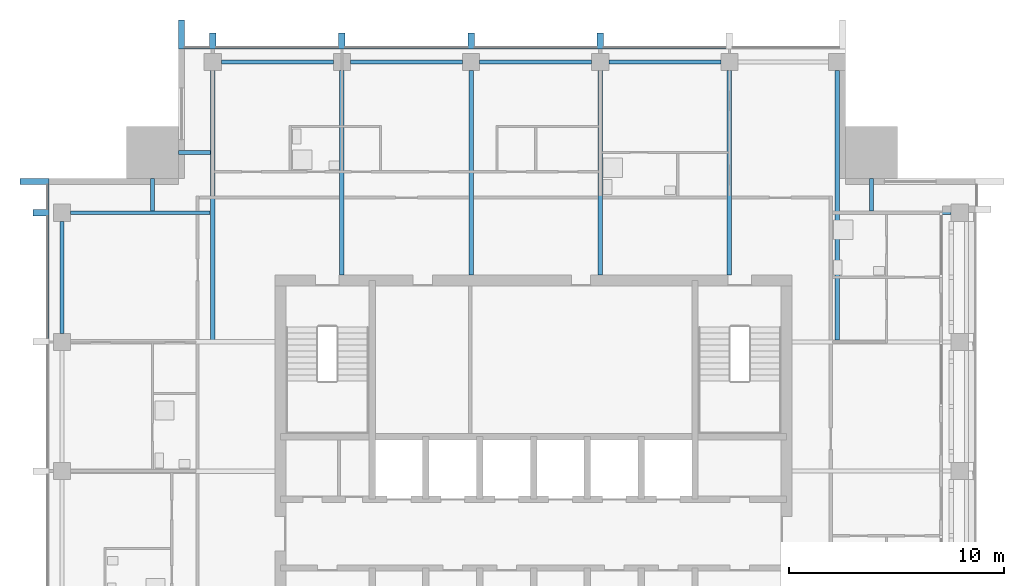
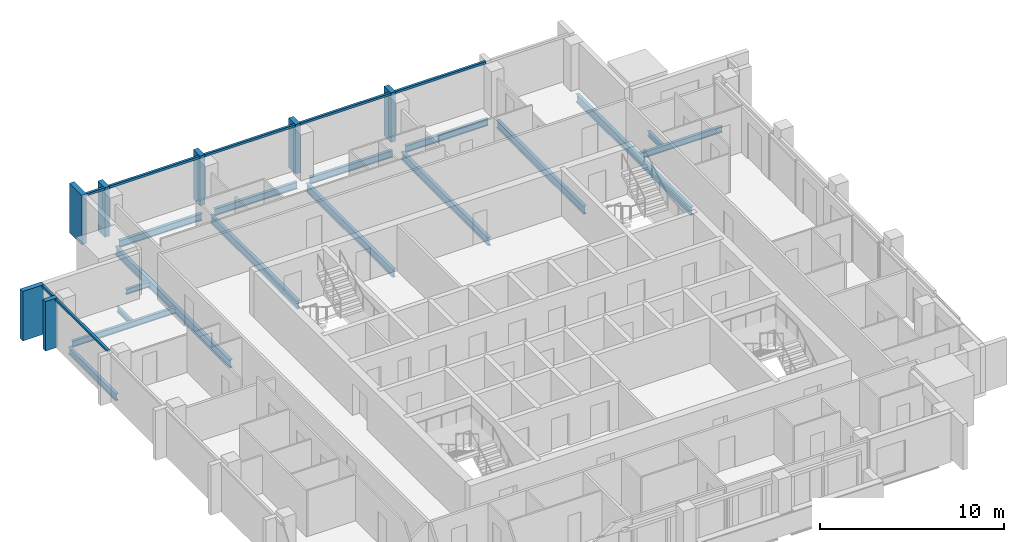
# One storey, part 4 of 15: 16 beams, 14 members, 2 elements without a shape of their own.
"""IFC4 building model written with IfcOpenShell, lengths in metres."""

from ifc_helpers import new_model, si_unit, direction, frame, origin, origin_2d, place, context, subcontext, project, spatial, rectangle, i_section, extrude, material, material_profile, profile_set, type_object, element, aggregate, save


model = new_model("IFC4")

# Units and contexts
model_context = context("Model", 3, precision=1e-05, world=origin(), true_north=direction((0.0, 1.0)))
body_context = subcontext(model_context, "Body", "Model", "MODEL_VIEW")
ifc_project = project(units=[si_unit("LENGTHUNIT", "METRE"), si_unit("AREAUNIT", "SQUARE_METRE"), si_unit("VOLUMEUNIT", "CUBIC_METRE"), si_unit("PLANEANGLEUNIT", "RADIAN"), si_unit("MASSUNIT", "GRAM", prefix="KILO")], contexts=[model_context])

# Site, building, storey
site_placement = place(None, origin())
site = spatial("IfcSite", under=ifc_project, at=site_placement, CompositionType="ELEMENT")
building_placement = place(site_placement, origin())
building = spatial("IfcBuilding", under=site, at=building_placement, Name="Amberfall Residences", CompositionType="ELEMENT")
storey_placement = place(building_placement, frame((0.0, 0.0, 268.60009765625)))
storey = spatial("IfcBuildingStorey", under=building, at=storey_placement, Name="L72", CompositionType="ELEMENT", Elevation=268.60009765625)

# Curtain wall, members
ifc_material_1 = material(Name="Bronze anodised aluminium and glass", Category="aluminium")
curtain_wall_type = type_object("IfcCurtainWallType", Name="Curtain wall CW1 tower unit", PredefinedType="USERDEFINED", material=ifc_material_1)
curtain_wall_1_placement = place(storey_placement, origin())
curtain_wall_1 = element("IfcCurtainWall", 1, at=curtain_wall_1_placement, inside=storey, type_object=curtain_wall_type, Name="Curtain wall L72 N N1", ObjectType="UNITISED CURTAIN WALL", PredefinedType="USERDEFINED")
ifc_material_2 = material(Name="Bronze anodised aluminium", Category="aluminium")
ifc_material_profile_1 = material_profile(ifc_material_2, rectangle(XDim=0.14990234375, YDim=0.14990234375, at=origin_2d()), Name="CW1 transom 150 x 150 bronze")
ifc_profile_set_1 = profile_set([ifc_material_profile_1], Name="Bronze anodised aluminium")
member_type_1 = type_object("IfcMemberType", Name="CW1 transom 150 x 150 bronze", PredefinedType="USERDEFINED", material=ifc_profile_set_1)
member_1_placement = place(storey_placement, frame((83.449951171875, 68.074951171875, 2.974853515625), z_axis=(-1.0, 0.0, 0.0), x_axis=(0.0, -1.0, 0.0)))
member_1 = element("IfcMember", 2, at=member_1_placement, type_object=member_type_1, Name="CW1 transom 2.1", ObjectType="TRANSOM", PredefinedType="USERDEFINED", context=body_context, shape_type="SweptSolid", body=[
    extrude(rectangle(XDim=0.14990234375, YDim=0.14990234375, at=origin_2d()), origin(), (0.0, 0.0, 1.0), 5.699951171875),
])
member_2_placement = place(storey_placement, frame((77.449951171875, 68.074951171875, 2.974853515625), z_axis=(-1.0, 0.0, 0.0), x_axis=(0.0, -1.0, 0.0)))
member_2 = element("IfcMember", 3, at=member_2_placement, type_object=member_type_1, Name="CW1 transom 3.1", ObjectType="TRANSOM", PredefinedType="USERDEFINED", context=body_context, shape_type="SweptSolid", body=[
    extrude(rectangle(XDim=0.14990234375, YDim=0.14990234375, at=origin_2d()), origin(), (0.0, 0.0, 1.0), 5.699951171875),
])
member_3_placement = place(storey_placement, frame((71.449951171875, 68.074951171875, 2.974853515625), z_axis=(-1.0, 0.0, 0.0), x_axis=(0.0, -1.0, 0.0)))
member_3 = element("IfcMember", 4, at=member_3_placement, type_object=member_type_1, Name="CW1 transom 4.1", ObjectType="TRANSOM", PredefinedType="USERDEFINED", context=body_context, shape_type="SweptSolid", body=[
    extrude(rectangle(XDim=0.14990234375, YDim=0.14990234375, at=origin_2d()), origin(), (0.0, 0.0, 1.0), 5.699951171875),
])
member_4_placement = place(storey_placement, frame((65.449951171875, 68.074951171875, 2.974853515625), z_axis=(-1.0, 0.0, 0.0), x_axis=(0.0, -1.0, 0.0)))
member_4 = element("IfcMember", 5, at=member_4_placement, type_object=member_type_1, Name="CW1 transom 5.1", ObjectType="TRANSOM", PredefinedType="USERDEFINED", context=body_context, shape_type="SweptSolid", body=[
    extrude(rectangle(XDim=0.14990234375, YDim=0.14990234375, at=origin_2d()), origin(), (0.0, 0.0, 1.0), 5.699951171875),
])
member_5_placement = place(storey_placement, frame((59.449951171875, 68.074951171875, 2.974853515625), z_axis=(-1.0, 0.0, 0.0), x_axis=(0.0, -1.0, 0.0)))
member_5 = element("IfcMember", 6, at=member_5_placement, type_object=member_type_1, Name="CW1 transom 6.1", ObjectType="TRANSOM", PredefinedType="USERDEFINED", context=body_context, shape_type="SweptSolid", body=[
    extrude(rectangle(XDim=0.14990234375, YDim=0.14990234375, at=origin_2d()), origin(), (0.0, 0.0, 1.0), 1.14990234375),
])

curtain_wall_2_placement = place(storey_placement, origin())
curtain_wall_2 = element("IfcCurtainWall", 7, at=curtain_wall_2_placement, inside=storey, type_object=curtain_wall_type, Name="Curtain wall L72 W W1", ObjectType="UNITISED CURTAIN WALL", PredefinedType="USERDEFINED")
member_6_placement = place(storey_placement, frame((51.925048828125, 61.699951171875, 2.974853515625), z_axis=(0.0, -1.0, 0.0), x_axis=(1.0, 0.0, 0.0)))
member_6 = element("IfcMember", 8, at=member_6_placement, type_object=member_type_1, Name="CW1 transom 1.1", ObjectType="TRANSOM", PredefinedType="USERDEFINED", context=body_context, shape_type="SweptSolid", body=[
    extrude(rectangle(XDim=0.14990234375, YDim=0.14990234375, at=origin_2d()), origin(), (0.0, 0.0, 1.0), 1.14990234375),
])
member_7_placement = place(storey_placement, frame((51.925048828125, 60.25, 2.974853515625), z_axis=(0.0, -1.0, 0.0), x_axis=(1.0, 0.0, 0.0)))
member_7 = element("IfcMember", 9, at=member_7_placement, type_object=member_type_1, Name="CW1 transom 2.1", ObjectType="TRANSOM", PredefinedType="USERDEFINED", context=body_context, shape_type="SweptSolid", body=[
    extrude(rectangle(XDim=0.14990234375, YDim=0.14990234375, at=origin_2d()), origin(), (0.0, 0.0, 1.0), 5.699951171875),
])

# Member
ifc_material_profile_2 = material_profile(ifc_material_2, rectangle(XDim=1.35009765625, YDim=0.300048828125, at=origin_2d()), Name="Corner fin 300 x 1350 bronze")
ifc_profile_set_2 = profile_set([ifc_material_profile_2], Name="Bronze anodised aluminium")
member_type_2 = type_object("IfcMemberType", Name="Corner fin 300 x 1350 bronze", PredefinedType="MULLION", material=ifc_profile_set_2)
member_8_placement = place(storey_placement, frame((58.14990234375, 68.675048828125, -0.25), z_axis=(0.0, 0.0, 1.0), x_axis=(0.0, -1.0, 0.0)))
member_8 = element("IfcMember", 10, at=member_8_placement, type_object=member_type_2, Name="CW FIN 7", PredefinedType="MULLION", context=body_context, shape_type="SweptSolid", body=[
    extrude(rectangle(XDim=1.35009765625, YDim=0.300048828125, at=origin_2d()), origin(), (0.0, 0.0, 1.0), 3.2998046875),
])

member_9_placement = place(storey_placement, frame((51.324951171875, 61.85009765625, -0.25), z_axis=(0.0, 0.0, 1.0), x_axis=(1.0, 0.0, 0.0)))
member_9 = element("IfcMember", 11, at=member_9_placement, type_object=member_type_2, Name="CW FIN 1", PredefinedType="MULLION", context=body_context, shape_type="SweptSolid", body=[
    extrude(rectangle(XDim=1.35009765625, YDim=0.300048828125, at=origin_2d()), origin(), (0.0, 0.0, 1.0), 3.2998046875),
])

# Beams
ifc_material_3 = material(Name="Steel S355", Category="steel")
ifc_material_profile_3 = material_profile(ifc_material_3, i_section(OverallWidth=0.18994140625, OverallDepth=0.453369140625, WebThickness=0.008544921875, FlangeThickness=0.0126953125, FilletRadius=0.01025390625, at=origin_2d()), Name="UB 457x191x67")
ifc_profile_set_3 = profile_set([ifc_material_profile_3], Name="Steel S355")
beam_type_1 = type_object("IfcBeamType", Name="Edge beam UB 457x191x67", PredefinedType="SPANDREL", material=ifc_profile_set_3)
for number, where, z_axis, x_axis, name in (
    (12, (60.0, 67.39990234375, -0.476806640625), (1.0, 0.0, 0.0), (0.0, 1.0, 0.0), "Edge beam B1 L72 25"),
    (13, (66.0, 67.39990234375, -0.476806640625), (1.0, 0.0, 0.0), (0.0, 1.0, 0.0), "Edge beam B1 L72 26"),
    (14, (72.0, 67.39990234375, -0.476806640625), (1.0, 0.0, 0.0), (0.0, 1.0, 0.0), "Edge beam B1 L72 27"),
    (15, (78.0, 67.39990234375, -0.476806640625), (1.0, 0.0, 0.0), (0.0, 1.0, 0.0), "Edge beam B1 L72 28"),
    (16, (52.60009765625, 54.800048828125, -0.476806640625), (0.0, 1.0, 0.0), (-1.0, 0.0, 0.0), "Edge beam B1 L72 40"),
):
    element("IfcBeam", number, at=place(storey_placement, frame(where, z_axis=z_axis, x_axis=x_axis)), inside=storey, type_object=beam_type_1, Name=name, PredefinedType="SPANDREL", context=body_context, shape_type="SweptSolid", body=[
        extrude(i_section(OverallWidth=0.18994140625, OverallDepth=0.453369140625, WebThickness=0.008544921875, FlangeThickness=0.0126953125, FilletRadius=0.01025390625, at=origin_2d()), origin(), (0.0, 0.0, 1.0), 5.199951171875),
    ])

# Member
ifc_material_profile_4 = material_profile(ifc_material_2, rectangle(XDim=0.75, YDim=0.300048828125, at=origin_2d()), Name="Fin 300 x 750 bronze")
ifc_profile_set_4 = profile_set([ifc_material_profile_4], Name="Bronze anodised aluminium")
member_type_3 = type_object("IfcMemberType", Name="Fin 300 x 750 bronze", PredefinedType="MULLION", material=ifc_profile_set_4)
member_10_placement = place(storey_placement, frame((77.60009765625, 68.375, -0.25), z_axis=(0.0, 0.0, 1.0), x_axis=(0.0, -1.0, 0.0)))
member_10 = element("IfcMember", 17, at=member_10_placement, type_object=member_type_3, Name="CW FIN 3", PredefinedType="MULLION", context=body_context, shape_type="SweptSolid", body=[
    extrude(rectangle(XDim=0.75, YDim=0.300048828125, at=origin_2d()), origin(), (0.0, 0.0, 1.0), 3.2998046875),
])

member_11_placement = place(storey_placement, frame((71.60009765625, 68.375, -0.25), z_axis=(0.0, 0.0, 1.0), x_axis=(0.0, -1.0, 0.0)))
member_11 = element("IfcMember", 18, at=member_11_placement, type_object=member_type_3, Name="CW FIN 4", PredefinedType="MULLION", context=body_context, shape_type="SweptSolid", body=[
    extrude(rectangle(XDim=0.75, YDim=0.300048828125, at=origin_2d()), origin(), (0.0, 0.0, 1.0), 3.2998046875),
])

member_12_placement = place(storey_placement, frame((65.60009765625, 68.375, -0.25), z_axis=(0.0, 0.0, 1.0), x_axis=(0.0, -1.0, 0.0)))
member_12 = element("IfcMember", 19, at=member_12_placement, type_object=member_type_3, Name="CW FIN 5", PredefinedType="MULLION", context=body_context, shape_type="SweptSolid", body=[
    extrude(rectangle(XDim=0.75, YDim=0.300048828125, at=origin_2d()), origin(), (0.0, 0.0, 1.0), 3.2998046875),
])

member_13_placement = place(storey_placement, frame((59.60009765625, 68.375, -0.25), z_axis=(0.0, 0.0, 1.0), x_axis=(0.0, -1.0, 0.0)))
member_13 = element("IfcMember", 20, at=member_13_placement, type_object=member_type_3, Name="CW FIN 6", PredefinedType="MULLION", context=body_context, shape_type="SweptSolid", body=[
    extrude(rectangle(XDim=0.75, YDim=0.300048828125, at=origin_2d()), origin(), (0.0, 0.0, 1.0), 3.2998046875),
])

aggregate(curtain_wall_1, [member_10, member_11, member_12, member_13, member_8, member_1, member_2, member_3, member_4, member_5])

member_14_placement = place(storey_placement, frame((51.625, 60.39990234375, -0.25), z_axis=(0.0, 0.0, 1.0), x_axis=(1.0, 0.0, 0.0)))
member_14 = element("IfcMember", 21, at=member_14_placement, type_object=member_type_3, Name="CW FIN 2", PredefinedType="MULLION", context=body_context, shape_type="SweptSolid", body=[
    extrude(rectangle(XDim=0.75, YDim=0.300048828125, at=origin_2d()), origin(), (0.0, 0.0, 1.0), 3.2998046875),
])

aggregate(curtain_wall_2, [member_9, member_14, member_6, member_7])

# Beams
ifc_material_profile_5 = material_profile(ifc_material_3, i_section(OverallWidth=0.177734375, OverallDepth=0.402587890625, WebThickness=0.0078125, FlangeThickness=0.010986328125, FilletRadius=0.01025390625, at=origin_2d()), Name="UB 406x178x54")
ifc_profile_set_5 = profile_set([ifc_material_profile_5], Name="Steel S355")
beam_type_2 = type_object("IfcBeamType", Name="Floor girder UB 406x178x54", PredefinedType="BEAM", material=ifc_profile_set_5)
beam_1_placement = place(storey_placement, frame((93.89990234375, 60.39990234375, -0.451416015625), z_axis=(-1.0, 0.0, 0.0), x_axis=(0.0, -1.0, 0.0)))
element("IfcBeam", 22, at=beam_1_placement, inside=storey, type_object=beam_type_2, Name="Floor girder B4 L72 24", PredefinedType="BEAM", context=body_context, shape_type="SweptSolid", body=[
    extrude(i_section(OverallWidth=0.177734375, OverallDepth=0.402587890625, WebThickness=0.0078125, FlangeThickness=0.010986328125, FilletRadius=0.01025390625, at=origin_2d()), origin(), (0.0, 0.0, 1.0), 5.179931640625),
])
beam_2_placement = place(storey_placement, frame((53.0, 60.39990234375, -0.451416015625), z_axis=(1.0, 0.0, 0.0), x_axis=(0.0, 1.0, 0.0)))
element("IfcBeam", 23, at=beam_2_placement, inside=storey, type_object=beam_type_2, Name="Floor girder B4 L72 46", PredefinedType="BEAM", context=body_context, shape_type="SweptSolid", body=[
    extrude(i_section(OverallWidth=0.177734375, OverallDepth=0.402587890625, WebThickness=0.0078125, FlangeThickness=0.010986328125, FilletRadius=0.01025390625, at=origin_2d()), origin(), (0.0, 0.0, 1.0), 6.47998046875),
])
ifc_material_profile_6 = material_profile(ifc_material_3, i_section(OverallWidth=0.210693359375, OverallDepth=0.53955078125, WebThickness=0.01171875, FlangeThickness=0.018798828125, FilletRadius=0.0126953125, at=origin_2d()), Name="UB 533x210x109")
ifc_profile_set_6 = profile_set([ifc_material_profile_6], Name="Steel S355")
beam_type_3 = type_object("IfcBeamType", Name="Floor girder UB 533x210x109", PredefinedType="BEAM", material=ifc_profile_set_6)
beam_3_placement = place(storey_placement, frame((59.60009765625, 67.0, -0.519775390625), z_axis=(0.0, -1.0, 0.0), x_axis=(1.0, 0.0, 0.0)))
element("IfcBeam", 24, at=beam_3_placement, inside=storey, type_object=beam_type_3, Name="Floor girder B2 L72 30", PredefinedType="BEAM", context=body_context, shape_type="SweptSolid", body=[
    extrude(i_section(OverallWidth=0.210693359375, OverallDepth=0.53955078125, WebThickness=0.01171875, FlangeThickness=0.018798828125, FilletRadius=0.0126953125, at=origin_2d()), origin(), (0.0, 0.0, 1.0), 12.50048828125),
])
beam_4_placement = place(storey_placement, frame((88.60009765625, 67.0, -0.519775390625), z_axis=(0.0, -1.0, 0.0), x_axis=(1.0, 0.0, 0.0)))
element("IfcBeam", 25, at=beam_4_placement, inside=storey, type_object=beam_type_3, Name="Floor girder B2 L72 35", PredefinedType="BEAM", context=body_context, shape_type="SweptSolid", body=[
    extrude(i_section(OverallWidth=0.210693359375, OverallDepth=0.53955078125, WebThickness=0.01171875, FlangeThickness=0.018798828125, FilletRadius=0.0126953125, at=origin_2d()), origin(), (0.0, 0.0, 1.0), 12.509521484375),
])
ifc_material_profile_7 = material_profile(ifc_material_3, i_section(OverallWidth=0.209228515625, OverallDepth=0.533203125, WebThickness=0.010009765625, FlangeThickness=0.015625, FilletRadius=0.0126953125, at=origin_2d()), Name="UB 533x210x92")
ifc_profile_set_7 = profile_set([ifc_material_profile_7], Name="Steel S355")
beam_type_4 = type_object("IfcBeamType", Name="Floor girder UB 533x210x92", PredefinedType="BEAM", material=ifc_profile_set_7)
for number, where, z_axis, x_axis, name in (
    (26, (65.60009765625, 67.0, -0.5166015625), (0.0, -1.0, 0.0), (1.0, 0.0, 0.0), "Floor girder B3 L72 31"),
    (27, (71.60009765625, 67.0, -0.5166015625), (0.0, -1.0, 0.0), (1.0, 0.0, 0.0), "Floor girder B3 L72 32"),
    (28, (77.60009765625, 67.0, -0.5166015625), (0.0, -1.0, 0.0), (1.0, 0.0, 0.0), "Floor girder B3 L72 33"),
    (29, (83.60009765625, 67.0, -0.5166015625), (0.0, -1.0, 0.0), (1.0, 0.0, 0.0), "Floor girder B3 L72 34"),
):
    element("IfcBeam", number, at=place(storey_placement, frame(where, z_axis=z_axis, x_axis=x_axis)), inside=storey, type_object=beam_type_4, Name=name, PredefinedType="BEAM", context=body_context, shape_type="SweptSolid", body=[
        extrude(i_section(OverallWidth=0.209228515625, OverallDepth=0.533203125, WebThickness=0.010009765625, FlangeThickness=0.015625, FilletRadius=0.0126953125, at=origin_2d()), origin(), (0.0, 0.0, 1.0), 9.5),
    ])
ifc_material_profile_8 = material_profile(ifc_material_3, i_section(OverallWidth=0.171142578125, OverallDepth=0.351318359375, WebThickness=0.007080078125, FlangeThickness=0.009765625, FilletRadius=0.01025390625, at=origin_2d()), Name="UB 356x171x45")
ifc_profile_set_8 = profile_set([ifc_material_profile_8], Name="Steel S355")
beam_type_5 = type_object("IfcBeamType", Name="Link beam UB 356x171x45", PredefinedType="BEAM", material=ifc_profile_set_8)
beam_5_placement = place(storey_placement, frame((90.199951171875, 62.0, -0.42578125), z_axis=(0.0, -1.0, 0.0), x_axis=(1.0, 0.0, 0.0)))
element("IfcBeam", 30, at=beam_5_placement, inside=storey, type_object=beam_type_5, Name="Link beam B7 L72 48", PredefinedType="BEAM", context=body_context, shape_type="SweptSolid", body=[
    extrude(i_section(OverallWidth=0.171142578125, OverallDepth=0.351318359375, WebThickness=0.007080078125, FlangeThickness=0.009765625, FilletRadius=0.01025390625, at=origin_2d()), origin(), (0.0, 0.0, 1.0), 1.52099609375),
])
beam_6_placement = place(storey_placement, frame((58.0, 63.199951171875, -0.42578125), z_axis=(1.0, 0.0, 0.0), x_axis=(0.0, 1.0, 0.0)))
element("IfcBeam", 31, at=beam_6_placement, inside=storey, type_object=beam_type_5, Name="Link beam B7 L72 49", PredefinedType="BEAM", context=body_context, shape_type="SweptSolid", body=[
    extrude(i_section(OverallWidth=0.171142578125, OverallDepth=0.351318359375, WebThickness=0.007080078125, FlangeThickness=0.009765625, FilletRadius=0.01025390625, at=origin_2d()), origin(), (0.0, 0.0, 1.0), 1.504638671875),
])
beam_7_placement = place(storey_placement, frame((56.800048828125, 62.0, -0.42578125), z_axis=(0.0, -1.0, 0.0), x_axis=(1.0, 0.0, 0.0)))
element("IfcBeam", 32, at=beam_7_placement, inside=storey, type_object=beam_type_5, Name="Link beam B7 L72 50", PredefinedType="BEAM", context=body_context, shape_type="SweptSolid", body=[
    extrude(i_section(OverallWidth=0.171142578125, OverallDepth=0.351318359375, WebThickness=0.007080078125, FlangeThickness=0.009765625, FilletRadius=0.01025390625, at=origin_2d()), origin(), (0.0, 0.0, 1.0), 1.52099609375),
])

save(model, "model.ifc")
